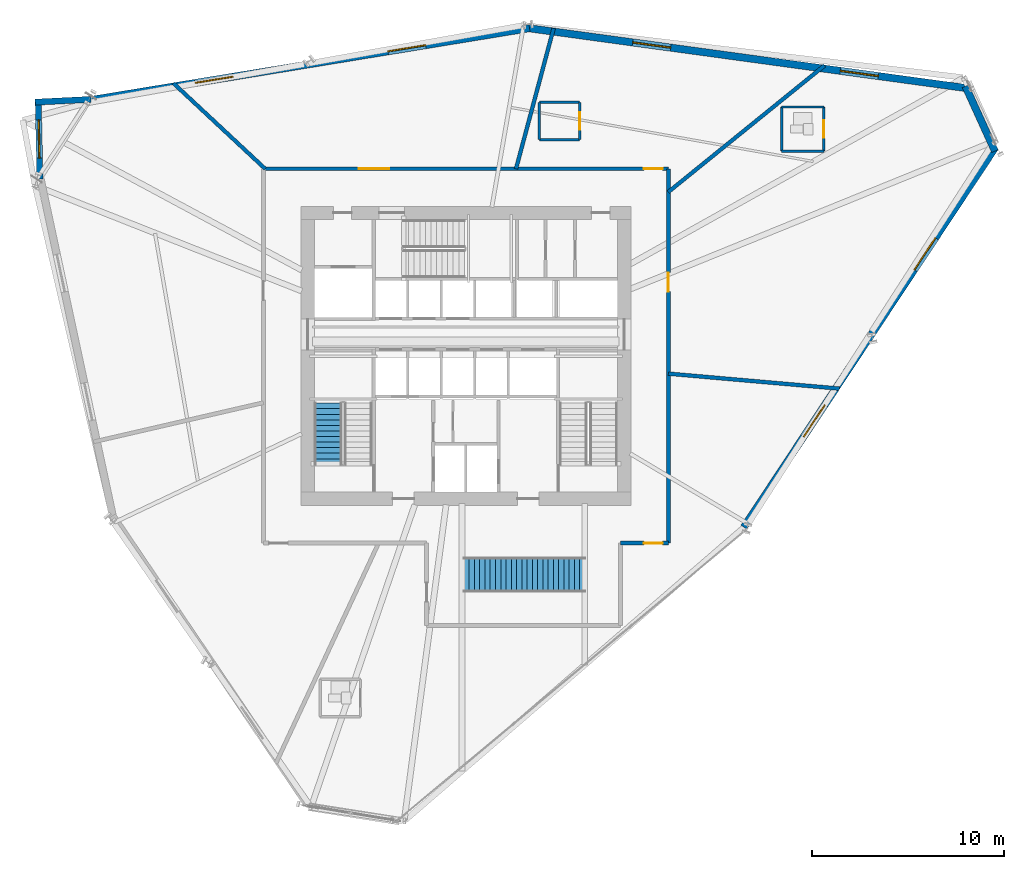
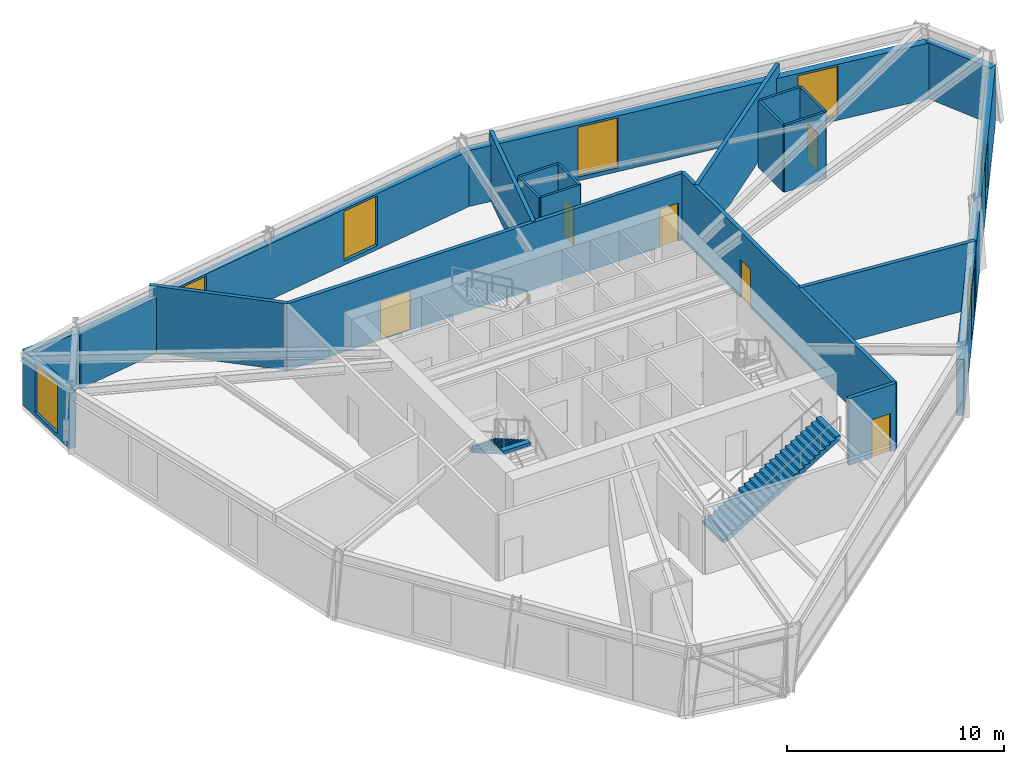
# One storey, part 13 of 16: 21 walls, 7 windows, 6 doors, 2 stair flights, 13 openings, 2 elements without a shape of their own.
"""IFC4 building model written with IfcOpenShell, lengths in metres."""

from ifc_helpers import new_model, si_unit, direction, frame, frame_2d, origin, place, context, subcontext, project, spatial, polyline, rectangle, outline, extrude, source, transform, mapped, material, layer, layer_set, type_object, type_shapes, element, fill, aggregate, save


model = new_model("IFC4")

# Units and contexts
model_context = context("Model", 3, precision=1e-05, world=origin(), true_north=direction((0.0, 1.0)))
body_context = subcontext(model_context, "Body", "Model", "MODEL_VIEW")
ifc_project = project(units=[si_unit("LENGTHUNIT", "METRE"), si_unit("AREAUNIT", "SQUARE_METRE"), si_unit("VOLUMEUNIT", "CUBIC_METRE"), si_unit("PLANEANGLEUNIT", "RADIAN"), si_unit("MASSUNIT", "GRAM", prefix="KILO")], contexts=[model_context])

# Site, building, storey
site_placement = place(None, origin())
site = spatial("IfcSite", under=ifc_project, at=site_placement, CompositionType="ELEMENT")
building_placement = place(site_placement, origin())
building = spatial("IfcBuilding", under=site, at=building_placement, Name="Olszyna Solenne Hotel", CompositionType="ELEMENT")
storey_placement = place(building_placement, frame((0.0, 0.0, 134.10009765625)))
storey = spatial("IfcBuildingStorey", under=building, at=storey_placement, Name="L35", CompositionType="ELEMENT", Elevation=134.10009765625)

# Wall, opening, window
ifc_material_1 = material(Name="Precast concrete C45/55", Category="concrete")
ifc_layer_1 = layer(ifc_material_1, 0.320068359375, Name="Precast concrete C45/55")
ifc_layer_set_1 = layer_set([ifc_layer_1], Name="Precast concrete C45/55")
wall_type_1 = type_object("IfcWallType", Name="WL-EX320", PredefinedType="SOLIDWALL", material=ifc_layer_set_1)
wall_1_placement = place(storey_placement, frame((15.804443359375, 35.822998046875, 0.0), z_axis=(0.0, 0.0, 1.0), x_axis=(-0.02186519063, 0.999760928142, 0.0)))
wall_1 = element("IfcWall", 1, at=wall_1_placement, inside=storey, type_object=wall_type_1, Name="Exterior terracotta-precast frame wall WL-EX320 EW-L35-05", PredefinedType="SOLIDWALL", context=body_context, shape_type="SweptSolid", body=[
    extrude(rectangle(XDim=4.164794921875, YDim=0.320068359375, at=frame_2d((2.08251953125, 0.0))), origin(), (0.0, 0.0, 1.0), 3.141845703125),
])
opening_1_placement = place(wall_1_placement, frame((1.08203125, 0.0, 0.221923828125)))
opening_1 = element("IfcOpeningElement", 2, at=opening_1_placement, cuts=wall_1, Name="Opening WN-L35-206", PredefinedType="OPENING", context=body_context, shape_type="SweptSolid", body=[
    extrude(rectangle(XDim=2.0, YDim=2.800048828125, at=frame_2d((1.0, 1.39990234375))), frame((0.0, 0.169921875, 0.0), z_axis=(0.0, -1.0, 0.0), x_axis=(1.0, 0.0, 0.0)), (0.0, 0.0, 1.0), 0.340087890625),
])
ifc_material_2 = material(Name="Low-E triple glazing", Category="glass")
window_type = type_object("IfcWindowType", Name="WN-SG1", PartitioningType="SINGLE_PANEL", PredefinedType="WINDOW", material=ifc_material_2)
shared_shape_1 = source(origin(), body_context, "Body", "SweptSolid", [
    extrude(rectangle(XDim=2.0, YDim=2.800048828125, at=frame_2d((1.0, 1.39990234375))), frame((0.0, 0.030029296875, 0.0), z_axis=(0.0, -1.0, 0.0), x_axis=(1.0, 0.0, 0.0)), (0.0, 0.0, 1.0), 0.06005859375),
])
type_shapes(window_type, [shared_shape_1])
window_1_placement = place(opening_1_placement, origin())
window_1 = element("IfcWindow", 3, at=window_1_placement, inside=storey, type_object=window_type, Name="Exterior facade window WN-SG1 WN-L35-206", OverallHeight=2.800048828125, OverallWidth=2.0, PartitioningType="SINGLE_PANEL", PredefinedType="WINDOW", context=body_context, shape_type="MappedRepresentation", body=[
    mapped(shared_shape_1, transform((0.0, 0.0, 0.0), x_axis=(1.0, 0.0, 0.0), y_axis=(0.0, 1.0, 0.0), z_axis=(0.0, 0.0, 1.0), scale=1.0)),
])
fill(opening_1, window_1)

# Wall
wall_2_placement = place(storey_placement, frame((15.5615234375, 39.823486328125, 0.0), z_axis=(0.0, 0.0, 1.0), x_axis=(0.998731286204, 0.050356905761, 0.0)))
element("IfcWall", 4, at=wall_2_placement, inside=storey, type_object=wall_type_1, Name="Exterior terracotta-precast frame wall WL-EX320 EW-L35-06", PredefinedType="SOLIDWALL", context=body_context, shape_type="SweptSolid", body=[
    extrude(rectangle(XDim=2.904052734375, YDim=0.320068359375, at=frame_2d((1.4521484375, 0.0))), origin(), (0.0, 0.0, 1.0), 3.141845703125),
])

# Wall, openings, windows
ifc_material_3 = material(Name="Terracotta cladding on precast concrete C45/55", Category="masonry")
ifc_layer_2 = layer(ifc_material_3, 0.3798828125, Name="Terracotta cladding on precast concrete C45/55")
ifc_layer_set_2 = layer_set([ifc_layer_2], Name="Terracotta cladding on precast concrete C45/55")
wall_type_2 = type_object("IfcWallType", Name="WL-EX380", PredefinedType="SOLIDWALL", material=ifc_layer_set_2)
wall_3_placement = place(storey_placement, frame((18.484619140625, 39.94189453125, 0.0), z_axis=(0.0, 0.0, 1.0), x_axis=(0.986854577997, 0.161610772806, 0.0)))
wall_3 = element("IfcWall", 5, at=wall_3_placement, inside=storey, type_object=wall_type_2, Name="Exterior terracotta-precast frame wall WL-EX380 EW-L35-07", PredefinedType="SOLIDWALL", context=body_context, shape_type="SweptSolid", body=[
    extrude(rectangle(XDim=23.135986328125, YDim=0.3798828125, at=frame_2d((11.56787109375, 0.0))), origin(), (0.0, 0.0, 1.0), 3.141845703125),
])
opening_2_placement = place(wall_3_placement, frame((5.47802734375, 0.0, 0.221923828125)))
opening_2 = element("IfcOpeningElement", 6, at=opening_2_placement, cuts=wall_3, Name="Opening WN-L35-207", PredefinedType="OPENING", context=body_context, shape_type="SweptSolid", body=[
    extrude(rectangle(XDim=2.0, YDim=2.800048828125, at=frame_2d((1.0, 1.39990234375))), frame((0.0, 0.199951171875, 0.0), z_axis=(0.0, -1.0, 0.0), x_axis=(1.0, 0.0, 0.0)), (0.0, 0.0, 1.0), 0.39990234375),
])
opening_3_placement = place(wall_3_placement, frame((15.657958984375, 0.0, 0.221923828125)))
opening_3 = element("IfcOpeningElement", 7, at=opening_3_placement, cuts=wall_3, Name="Opening WN-L35-208", PredefinedType="OPENING", context=body_context, shape_type="SweptSolid", body=[
    extrude(rectangle(XDim=2.0, YDim=2.800048828125, at=frame_2d((1.0, 1.39990234375))), frame((0.0, 0.199951171875, 0.0), z_axis=(0.0, -1.0, 0.0), x_axis=(1.0, 0.0, 0.0)), (0.0, 0.0, 1.0), 0.39990234375),
])
window_2_placement = place(opening_2_placement, origin())
window_2 = element("IfcWindow", 8, at=window_2_placement, inside=storey, type_object=window_type, Name="Exterior facade window WN-SG1 WN-L35-207", OverallHeight=2.800048828125, OverallWidth=2.0, PartitioningType="SINGLE_PANEL", PredefinedType="WINDOW", context=body_context, shape_type="MappedRepresentation", body=[
    mapped(shared_shape_1, transform((0.0, 0.0, 0.0), x_axis=(1.0, 0.0, 0.0), y_axis=(0.0, 1.0, 0.0), z_axis=(0.0, 0.0, 1.0), scale=1.0)),
])
fill(opening_2, window_2)
window_3_placement = place(opening_3_placement, origin())
window_3 = element("IfcWindow", 9, at=window_3_placement, inside=storey, type_object=window_type, Name="Exterior facade window WN-SG1 WN-L35-208", OverallHeight=2.800048828125, OverallWidth=2.0, PartitioningType="SINGLE_PANEL", PredefinedType="WINDOW", context=body_context, shape_type="MappedRepresentation", body=[
    mapped(shared_shape_1, transform((0.0, 0.0, 0.0), x_axis=(1.0, 0.0, 0.0), y_axis=(0.0, 1.0, 0.0), z_axis=(0.0, 0.0, 1.0), scale=1.0)),
])
fill(opening_3, window_3)

wall_4_placement = place(storey_placement, frame((41.259765625, 43.68017578125, 0.0), z_axis=(0.0, 0.0, 1.0), x_axis=(0.990765133222, -0.135589272404, 0.0)))
wall_4 = element("IfcWall", 10, at=wall_4_placement, inside=storey, type_object=wall_type_2, Name="Exterior terracotta-precast frame wall WL-EX380 EW-L35-08", PredefinedType="SOLIDWALL", context=body_context, shape_type="SweptSolid", body=[
    extrude(rectangle(XDim=23.1357421875, YDim=0.3798828125, at=frame_2d((11.56787109375, 0.0))), origin(), (0.0, 0.0, 1.0), 3.141845703125),
])
opening_4_placement = place(wall_4_placement, frame((5.47802734375, 0.0, 0.221923828125)))
opening_4 = element("IfcOpeningElement", 11, at=opening_4_placement, cuts=wall_4, Name="Opening WN-L35-209", PredefinedType="OPENING", context=body_context, shape_type="SweptSolid", body=[
    extrude(rectangle(XDim=2.0, YDim=2.800048828125, at=frame_2d((1.0, 1.39990234375))), frame((0.0, 0.199951171875, 0.0), z_axis=(0.0, -1.0, 0.0), x_axis=(1.0, 0.0, 0.0)), (0.0, 0.0, 1.0), 0.39990234375),
])
opening_5_placement = place(wall_4_placement, frame((16.407958984375, 0.0, 0.221923828125)))
opening_5 = element("IfcOpeningElement", 12, at=opening_5_placement, cuts=wall_4, Name="Opening WN-L35-210", PredefinedType="OPENING", context=body_context, shape_type="SweptSolid", body=[
    extrude(rectangle(XDim=2.0, YDim=2.800048828125, at=frame_2d((1.0, 1.39990234375))), frame((0.0, 0.199951171875, 0.0), z_axis=(0.0, -1.0, 0.0), x_axis=(1.0, 0.0, 0.0)), (0.0, 0.0, 1.0), 0.39990234375),
])
window_4_placement = place(opening_4_placement, origin())
window_4 = element("IfcWindow", 13, at=window_4_placement, inside=storey, type_object=window_type, Name="Exterior facade window WN-SG1 WN-L35-209", OverallHeight=2.800048828125, OverallWidth=2.0, PartitioningType="SINGLE_PANEL", PredefinedType="WINDOW", context=body_context, shape_type="MappedRepresentation", body=[
    mapped(shared_shape_1, transform((0.0, 0.0, 0.0), x_axis=(1.0, 0.0, 0.0), y_axis=(0.0, 1.0, 0.0), z_axis=(0.0, 0.0, 1.0), scale=1.0)),
])
fill(opening_4, window_4)
window_5_placement = place(opening_5_placement, origin())
window_5 = element("IfcWindow", 14, at=window_5_placement, inside=storey, type_object=window_type, Name="Exterior facade window WN-SG1 WN-L35-210", OverallHeight=2.800048828125, OverallWidth=2.0, PartitioningType="SINGLE_PANEL", PredefinedType="WINDOW", context=body_context, shape_type="MappedRepresentation", body=[
    mapped(shared_shape_1, transform((0.0, 0.0, 0.0), x_axis=(1.0, 0.0, 0.0), y_axis=(0.0, 1.0, 0.0), z_axis=(0.0, 0.0, 1.0), scale=1.0)),
])
fill(opening_5, window_5)

# Wall
wall_5_placement = place(storey_placement, frame((64.034912109375, 40.652587890625, 0.0), z_axis=(0.0, 0.0, 1.0), x_axis=(0.413892137576, -0.910325929793, 0.0)))
element("IfcWall", 15, at=wall_5_placement, inside=storey, type_object=wall_type_2, Name="Exterior terracotta-precast frame wall WL-EX380 EW-L35-09", PredefinedType="SOLIDWALL", context=body_context, shape_type="SweptSolid", body=[
    extrude(rectangle(XDim=3.7119140625, YDim=0.3798828125, at=frame_2d((1.85595703125, 0.0))), origin(), (0.0, 0.0, 1.0), 3.141845703125),
])

# Wall, openings, windows
wall_6_placement = place(storey_placement, frame((65.5859375, 37.45703125, 0.0), z_axis=(0.0, 0.0, 1.0), x_axis=(-0.552197199058, -0.833713531947, 0.0)))
wall_6 = element("IfcWall", 16, at=wall_6_placement, inside=storey, type_object=wall_type_2, Name="Exterior terracotta-precast frame wall WL-EX380 EW-L35-10", PredefinedType="SOLIDWALL", context=body_context, shape_type="SweptSolid", body=[
    extrude(rectangle(XDim=23.725830078125, YDim=0.3798828125, at=frame_2d((11.86279296875, 0.0))), origin(), (0.0, 0.0, 1.0), 3.141845703125),
])
opening_6_placement = place(wall_6_placement, frame((5.64306640625, 0.0, 0.221923828125)))
opening_6 = element("IfcOpeningElement", 17, at=opening_6_placement, cuts=wall_6, Name="Opening WN-L35-211", PredefinedType="OPENING", context=body_context, shape_type="SweptSolid", body=[
    extrude(rectangle(XDim=2.0, YDim=2.800048828125, at=frame_2d((1.0, 1.39990234375))), frame((0.0, 0.199951171875, 0.0), z_axis=(0.0, -1.0, 0.0), x_axis=(1.0, 0.0, 0.0)), (0.0, 0.0, 1.0), 0.39990234375),
])
opening_7_placement = place(wall_6_placement, frame((16.08203125, 0.0, 0.221923828125)))
opening_7 = element("IfcOpeningElement", 18, at=opening_7_placement, cuts=wall_6, Name="Opening WN-L35-212", PredefinedType="OPENING", context=body_context, shape_type="SweptSolid", body=[
    extrude(rectangle(XDim=2.0, YDim=2.800048828125, at=frame_2d((1.0, 1.39990234375))), frame((0.0, 0.199951171875, 0.0), z_axis=(0.0, -1.0, 0.0), x_axis=(1.0, 0.0, 0.0)), (0.0, 0.0, 1.0), 0.39990234375),
])
window_6_placement = place(opening_6_placement, origin())
window_6 = element("IfcWindow", 19, at=window_6_placement, inside=storey, type_object=window_type, Name="Exterior facade window WN-SG1 WN-L35-211", OverallHeight=2.800048828125, OverallWidth=2.0, PartitioningType="SINGLE_PANEL", PredefinedType="WINDOW", context=body_context, shape_type="MappedRepresentation", body=[
    mapped(shared_shape_1, transform((0.0, 0.0, 0.0), x_axis=(1.0, 0.0, 0.0), y_axis=(0.0, 1.0, 0.0), z_axis=(0.0, 0.0, 1.0), scale=1.0)),
])
fill(opening_6, window_6)
window_7_placement = place(opening_7_placement, origin())
window_7 = element("IfcWindow", 20, at=window_7_placement, inside=storey, type_object=window_type, Name="Exterior facade window WN-SG1 WN-L35-212", OverallHeight=2.800048828125, OverallWidth=2.0, PartitioningType="SINGLE_PANEL", PredefinedType="WINDOW", context=body_context, shape_type="MappedRepresentation", body=[
    mapped(shared_shape_1, transform((0.0, 0.0, 0.0), x_axis=(1.0, 0.0, 0.0), y_axis=(0.0, 1.0, 0.0), z_axis=(0.0, 0.0, 1.0), scale=1.0)),
])
fill(opening_7, window_7)

# Wall, opening, door
ifc_material_4 = material(Name="Acoustic gypsum partition", Category="gypsum")
ifc_layer_3 = layer(ifc_material_4, 0.125, Name="Acoustic gypsum partition")
ifc_layer_set_3 = layer_set([ifc_layer_3], Name="Acoustic gypsum partition")
wall_type_3 = type_object("IfcWallType", Name="WL-PT125", PredefinedType="PARTITIONING", material=ifc_layer_set_3)
wall_7_placement = place(storey_placement, frame((56.65087890625, 37.27294921875, 0.0), z_axis=(0.0, 0.0, 1.0), x_axis=(0.0, 1.0, 0.0)))
wall_7 = element("IfcWall", 21, at=wall_7_placement, inside=storey, type_object=wall_type_3, Name="Interior acoustic partition WL-PT125 PW-L35-2020", PredefinedType="PARTITIONING", context=body_context, shape_type="SweptSolid", body=[
    extrude(rectangle(XDim=2.300048828125, YDim=0.125, at=frame_2d((1.14990234375, 0.0))), origin(), (0.0, 0.0, 1.0), 3.75),
])
opening_8_placement = place(wall_7_placement, frame((0.699951171875, 0.0, 0.0)))
opening_8 = element("IfcOpeningElement", 22, at=opening_8_placement, cuts=wall_7, Name="Opening DR-L35-0489", PredefinedType="OPENING", context=body_context, shape_type="SweptSolid", body=[
    extrude(rectangle(XDim=0.89990234375, YDim=2.10009765625, at=frame_2d((0.449951171875, 1.050048828125))), frame((0.0, 0.072509765625, 0.0), z_axis=(0.0, -1.0, 0.0), x_axis=(1.0, 0.0, 0.0)), (0.0, 0.0, 1.0), 0.14501953125),
])
ifc_material_5 = material(Name="Timber hardwood", Category="wood")
door_type_1 = type_object("IfcDoorType", Name="DR-WC1", OperationType="NOTDEFINED", PredefinedType="DOOR", material=ifc_material_5)
shared_shape_2 = source(origin(), body_context, "Body", "SweptSolid", [
    extrude(rectangle(XDim=0.89990234375, YDim=2.10009765625, at=frame_2d((0.449951171875, 1.050048828125))), frame((0.0, 0.02490234375, 0.0), z_axis=(0.0, -1.0, 0.0), x_axis=(1.0, 0.0, 0.0)), (0.0, 0.0, 1.0), 0.050048828125),
])
type_shapes(door_type_1, [shared_shape_2])
door_1_placement = place(opening_8_placement, origin())
door_1 = element("IfcDoor", 23, at=door_1_placement, inside=storey, type_object=door_type_1, Name="En-Suite Bathroom Door DR-L35-0489", OperationType="SINGLE_SWING_RIGHT", OverallHeight=2.10009765625, OverallWidth=0.89990234375, PredefinedType="DOOR", context=body_context, shape_type="MappedRepresentation", body=[
    mapped(shared_shape_2, transform((0.0, 0.0, 0.0), x_axis=(1.0, 0.0, 0.0), y_axis=(0.0, 1.0, 0.0), z_axis=(0.0, 0.0, 1.0), scale=1.0)),
])
fill(opening_8, door_1)

# Walls
wall_8_placement = place(storey_placement, frame((56.65087890625, 39.572998046875, 0.0), z_axis=(0.0, 0.0, 1.0), x_axis=(-1.0, 0.0, 0.0)))
element("IfcWall", 24, at=wall_8_placement, inside=storey, type_object=wall_type_3, Name="Interior acoustic partition WL-PT125 PW-L35-2021", PredefinedType="PARTITIONING", context=body_context, shape_type="SweptSolid", body=[
    extrude(rectangle(XDim=2.199951171875, YDim=0.125, at=frame_2d((1.10009765625, 0.0))), origin(), (0.0, 0.0, 1.0), 3.75),
])
wall_9_placement = place(storey_placement, frame((54.450927734375, 39.572998046875, 0.0), z_axis=(0.0, 0.0, 1.0), x_axis=(0.0, -1.0, 0.0)))
element("IfcWall", 25, at=wall_9_placement, inside=storey, type_object=wall_type_3, Name="Interior acoustic partition WL-PT125 PW-L35-2022", PredefinedType="PARTITIONING", context=body_context, shape_type="SweptSolid", body=[
    extrude(rectangle(XDim=2.300048828125, YDim=0.125, at=frame_2d((1.14990234375, 0.0))), origin(), (0.0, 0.0, 1.0), 3.75),
])
wall_10_placement = place(storey_placement, frame((54.450927734375, 37.27294921875, 0.0), z_axis=(0.0, 0.0, 1.0), x_axis=(1.0, 0.0, 0.0)))
element("IfcWall", 26, at=wall_10_placement, inside=storey, type_object=wall_type_3, Name="Interior acoustic partition WL-PT125 PW-L35-2023", PredefinedType="PARTITIONING", context=body_context, shape_type="SweptSolid", body=[
    extrude(rectangle(XDim=2.199951171875, YDim=0.125, at=frame_2d((1.10009765625, 0.0))), origin(), (0.0, 0.0, 1.0), 3.75),
])

# Wall, opening, door
wall_11_placement = place(storey_placement, frame((43.929931640625, 37.865966796875, 0.0), z_axis=(0.0, 0.0, 1.0), x_axis=(0.0, 1.0, 0.0)))
wall_11 = element("IfcWall", 27, at=wall_11_placement, inside=storey, type_object=wall_type_3, Name="Interior acoustic partition WL-PT125 PW-L35-2024", PredefinedType="PARTITIONING", context=body_context, shape_type="SweptSolid", body=[
    extrude(rectangle(XDim=1.949951171875, YDim=0.125, at=frame_2d((0.97509765625, 0.0))), origin(), (0.0, 0.0, 1.0), 3.75),
])
opening_9_placement = place(wall_11_placement, frame((0.52490234375, 0.0, 0.0)))
opening_9 = element("IfcOpeningElement", 28, at=opening_9_placement, cuts=wall_11, Name="Opening DR-L35-0490", PredefinedType="OPENING", context=body_context, shape_type="SweptSolid", body=[
    extrude(rectangle(XDim=0.89990234375, YDim=2.10009765625, at=frame_2d((0.449951171875, 1.050048828125))), frame((0.0, 0.072509765625, 0.0), z_axis=(0.0, -1.0, 0.0), x_axis=(1.0, 0.0, 0.0)), (0.0, 0.0, 1.0), 0.14501953125),
])
door_2_placement = place(opening_9_placement, origin())
door_2 = element("IfcDoor", 29, at=door_2_placement, inside=storey, type_object=door_type_1, Name="En-Suite Bathroom Door DR-L35-0490", OperationType="SINGLE_SWING_RIGHT", OverallHeight=2.10009765625, OverallWidth=0.89990234375, PredefinedType="DOOR", context=body_context, shape_type="MappedRepresentation", body=[
    mapped(shared_shape_2, transform((0.0, 0.0, 0.0), x_axis=(1.0, 0.0, 0.0), y_axis=(0.0, 1.0, 0.0), z_axis=(0.0, 0.0, 1.0), scale=1.0)),
])
fill(opening_9, door_2)

# Walls
wall_12_placement = place(storey_placement, frame((43.929931640625, 39.81591796875, 0.0), z_axis=(0.0, 0.0, 1.0), x_axis=(-1.0, 0.0, 0.0)))
element("IfcWall", 30, at=wall_12_placement, inside=storey, type_object=wall_type_3, Name="Interior acoustic partition WL-PT125 PW-L35-2025", PredefinedType="PARTITIONING", context=body_context, shape_type="SweptSolid", body=[
    extrude(rectangle(XDim=2.099853515625, YDim=0.125, at=frame_2d((1.0498046875, 0.0))), origin(), (0.0, 0.0, 1.0), 3.75),
])
wall_13_placement = place(storey_placement, frame((41.830078125, 39.81591796875, 0.0), z_axis=(0.0, 0.0, 1.0), x_axis=(0.0, -1.0, 0.0)))
element("IfcWall", 31, at=wall_13_placement, inside=storey, type_object=wall_type_3, Name="Interior acoustic partition WL-PT125 PW-L35-2026", PredefinedType="PARTITIONING", context=body_context, shape_type="SweptSolid", body=[
    extrude(rectangle(XDim=1.949951171875, YDim=0.125, at=frame_2d((0.97509765625, 0.0))), origin(), (0.0, 0.0, 1.0), 3.75),
])
wall_14_placement = place(storey_placement, frame((41.830078125, 37.865966796875, 0.0), z_axis=(0.0, 0.0, 1.0), x_axis=(1.0, 0.0, 0.0)))
element("IfcWall", 32, at=wall_14_placement, inside=storey, type_object=wall_type_3, Name="Interior acoustic partition WL-PT125 PW-L35-2027", PredefinedType="PARTITIONING", context=body_context, shape_type="SweptSolid", body=[
    extrude(rectangle(XDim=2.099853515625, YDim=0.125, at=frame_2d((1.0498046875, 0.0))), origin(), (0.0, 0.0, 1.0), 3.75),
])
ifc_layer_4 = layer(ifc_material_4, 0.199951171875, Name="Acoustic gypsum partition")
ifc_layer_set_4 = layer_set([ifc_layer_4], Name="Acoustic gypsum partition")
wall_type_4 = type_object("IfcWallType", Name="WL-PT200", PredefinedType="PARTITIONING", material=ifc_layer_set_4)
wall_15_placement = place(storey_placement, frame((40.612548828125, 36.35009765625, 0.0), z_axis=(0.0, 0.0, 1.0), x_axis=(0.258816688586, 0.965926457713, 0.0)))
element("IfcWall", 33, at=wall_15_placement, inside=storey, type_object=wall_type_4, Name="Interior acoustic partition WL-PT200 PW-L35-2010", PredefinedType="PARTITIONING", context=body_context, shape_type="SweptSolid", body=[
    extrude(rectangle(XDim=7.570068359375, YDim=0.199951171875, at=frame_2d((3.78515625, 0.0))), origin(), (0.0, 0.0, 1.0), 3.75),
])
wall_16_placement = place(storey_placement, frame((27.54443359375, 36.35009765625, 0.0), z_axis=(0.0, 0.0, 1.0), x_axis=(-0.731359670855, 0.681991958785, 0.0)))
element("IfcWall", 34, at=wall_16_placement, inside=storey, type_object=wall_type_4, Name="Interior acoustic partition WL-PT200 PW-L35-2011", PredefinedType="PARTITIONING", context=body_context, shape_type="SweptSolid", body=[
    extrude(rectangle(XDim=6.53271484375, YDim=0.199951171875, at=frame_2d((3.266357421875, 0.0))), origin(), (0.0, 0.0, 1.0), 3.75),
])
wall_17_placement = place(storey_placement, frame((48.550048828125, 25.677001953125, 0.0), z_axis=(0.0, 0.0, 1.0), x_axis=(0.996193836021, -0.087165595704, 0.0)))
element("IfcWall", 35, at=wall_17_placement, inside=storey, type_object=wall_type_4, Name="Interior acoustic partition WL-PT200 PW-L35-2014", PredefinedType="PARTITIONING", context=body_context, shape_type="SweptSolid", body=[
    extrude(rectangle(XDim=8.943115234375, YDim=0.199951171875, at=frame_2d((4.4716796875, 0.0))), origin(), (0.0, 0.0, 1.0), 3.75),
])
wall_18_placement = place(storey_placement, frame((48.550048828125, 35.143310546875, 0.0), z_axis=(0.0, 0.0, 1.0), x_axis=(0.777146006926, 0.6293203349, 0.0)))
element("IfcWall", 36, at=wall_18_placement, inside=storey, type_object=wall_type_4, Name="Interior acoustic partition WL-PT200 PW-L35-2015", PredefinedType="PARTITIONING", context=body_context, shape_type="SweptSolid", body=[
    extrude(rectangle(XDim=10.467529296875, YDim=0.199951171875, at=frame_2d((5.23388671875, 0.0))), origin(), (0.0, 0.0, 1.0), 3.75),
])

# Wall, opening, door
wall_19_placement = place(storey_placement, frame((46.050048828125, 16.85009765625, 0.0), z_axis=(0.0, 0.0, 1.0), x_axis=(1.0, 0.0, 0.0)))
wall_19 = element("IfcWall", 37, at=wall_19_placement, inside=storey, type_object=wall_type_4, Name="Interior acoustic partition WL-PT200 PW-L35-2029", PredefinedType="PARTITIONING", context=body_context, shape_type="SweptSolid", body=[
    extrude(rectangle(XDim=2.5, YDim=0.199951171875, at=frame_2d((1.25, 0.0))), origin(), (0.0, 0.0, 1.0), 3.75),
])
opening_10_placement = place(wall_19_placement, frame((1.219970703125, 0.0, 0.0)))
opening_10 = element("IfcOpeningElement", 38, at=opening_10_placement, cuts=wall_19, Name="Opening DR-L35-0492", PredefinedType="OPENING", context=body_context, shape_type="SweptSolid", body=[
    extrude(rectangle(XDim=0.97998046875, YDim=2.14990234375, at=frame_2d((0.489990234375, 1.074951171875))), frame((0.0, 0.10986328125, 0.0), z_axis=(0.0, -1.0, 0.0), x_axis=(1.0, 0.0, 0.0)), (0.0, 0.0, 1.0), 0.219970703125),
])
door_type_2 = type_object("IfcDoorType", Name="DR-RM1", OperationType="NOTDEFINED", PredefinedType="DOOR", material=ifc_material_5)
shared_shape_3 = source(origin(), body_context, "Body", "SweptSolid", [
    extrude(rectangle(XDim=0.97998046875, YDim=2.14990234375, at=frame_2d((0.489990234375, 1.074951171875))), frame((0.0, 0.02490234375, 0.0), z_axis=(0.0, -1.0, 0.0), x_axis=(1.0, 0.0, 0.0)), (0.0, 0.0, 1.0), 0.050048828125),
])
type_shapes(door_type_2, [shared_shape_3])
door_3_placement = place(opening_10_placement, origin())
door_3 = element("IfcDoor", 39, at=door_3_placement, inside=storey, type_object=door_type_2, Name="Executive Meeting Salon Entrance Door DR-L35-0492", OperationType="SINGLE_SWING_RIGHT", OverallHeight=2.14990234375, OverallWidth=0.97998046875, PredefinedType="DOOR", context=body_context, shape_type="MappedRepresentation", body=[
    mapped(shared_shape_3, transform((0.0, 0.0, 0.0), x_axis=(1.0, 0.0, 0.0), y_axis=(0.0, 1.0, 0.0), z_axis=(0.0, 0.0, 1.0), scale=1.0)),
])
fill(opening_10, door_3)

# Wall, openings, doors
wall_20_placement = place(storey_placement, frame((27.449951171875, 36.35009765625, 0.0), z_axis=(0.0, 0.0, 1.0), x_axis=(1.0, 0.0, 0.0)))
wall_20 = element("IfcWall", 40, at=wall_20_placement, inside=storey, type_object=wall_type_4, Name="Interior acoustic partition WL-PT200 PW-L35-2031", PredefinedType="PARTITIONING", context=body_context, shape_type="SweptSolid", body=[
    extrude(rectangle(XDim=21.10009765625, YDim=0.199951171875, at=frame_2d((10.550048828125, 0.0))), origin(), (0.0, 0.0, 1.0), 3.75),
])
opening_11_placement = place(wall_20_placement, frame((4.966064453125, 0.0, 0.0)))
opening_11 = element("IfcOpeningElement", 41, at=opening_11_placement, cuts=wall_20, Name="Opening DR-L35-0494", PredefinedType="OPENING", context=body_context, shape_type="SweptSolid", body=[
    extrude(rectangle(XDim=1.60009765625, YDim=2.199951171875, at=frame_2d((0.800048828125, 1.10009765625))), frame((0.0, 0.10986328125, 0.0), z_axis=(0.0, -1.0, 0.0), x_axis=(1.0, 0.0, 0.0)), (0.0, 0.0, 1.0), 0.219970703125),
])
opening_12_placement = place(wall_20_placement, frame((19.820068359375, 0.0, 0.0)))
opening_12 = element("IfcOpeningElement", 42, at=opening_12_placement, cuts=wall_20, Name="Opening DR-L35-0495", PredefinedType="OPENING", context=body_context, shape_type="SweptSolid", body=[
    extrude(rectangle(XDim=0.97998046875, YDim=2.14990234375, at=frame_2d((0.489990234375, 1.074951171875))), frame((0.0, 0.10986328125, 0.0), z_axis=(0.0, -1.0, 0.0), x_axis=(1.0, 0.0, 0.0)), (0.0, 0.0, 1.0), 0.219970703125),
])
door_type_3 = type_object("IfcDoorType", Name="DR-CR1", OperationType="DOUBLE_DOOR_SINGLE_SWING", PredefinedType="DOOR", material=ifc_material_5)
shared_shape_4 = source(origin(), body_context, "Body", "SweptSolid", [
    extrude(rectangle(XDim=1.60009765625, YDim=2.199951171875, at=frame_2d((0.800048828125, 1.10009765625))), frame((0.0, 0.02490234375, 0.0), z_axis=(0.0, -1.0, 0.0), x_axis=(1.0, 0.0, 0.0)), (0.0, 0.0, 1.0), 0.050048828125),
])
type_shapes(door_type_3, [shared_shape_4])
door_4_placement = place(opening_11_placement, origin())
door_4 = element("IfcDoor", 43, at=door_4_placement, inside=storey, type_object=door_type_3, Name="Winter Sky Garden Conservatory Entrance Door DR-L35-0494", OperationType="DOUBLE_DOOR_SINGLE_SWING", OverallHeight=2.199951171875, OverallWidth=1.60009765625, PredefinedType="DOOR", context=body_context, shape_type="MappedRepresentation", body=[
    mapped(shared_shape_4, transform((0.0, 0.0, 0.0), x_axis=(1.0, 0.0, 0.0), y_axis=(0.0, 1.0, 0.0), z_axis=(0.0, 0.0, 1.0), scale=1.0)),
])
fill(opening_11, door_4)
door_5_placement = place(opening_12_placement, origin())
door_5 = element("IfcDoor", 44, at=door_5_placement, inside=storey, type_object=door_type_2, Name="Executive Reading Salon Entrance Door DR-L35-0495", OperationType="SINGLE_SWING_RIGHT", OverallHeight=2.14990234375, OverallWidth=0.97998046875, PredefinedType="DOOR", context=body_context, shape_type="MappedRepresentation", body=[
    mapped(shared_shape_3, transform((0.0, 0.0, 0.0), x_axis=(1.0, 0.0, 0.0), y_axis=(0.0, 1.0, 0.0), z_axis=(0.0, 0.0, 1.0), scale=1.0)),
])
fill(opening_12, door_5)

# Wall, opening, door
wall_21_placement = place(storey_placement, frame((48.550048828125, 16.85009765625, 0.0), z_axis=(0.0, 0.0, 1.0), x_axis=(0.0, 1.0, 0.0)))
wall_21 = element("IfcWall", 45, at=wall_21_placement, inside=storey, type_object=wall_type_4, Name="Interior acoustic partition WL-PT200 PW-L35-2032", PredefinedType="PARTITIONING", context=body_context, shape_type="SweptSolid", body=[
    extrude(rectangle(XDim=19.5, YDim=0.199951171875, at=frame_2d((9.75, 0.0))), origin(), (0.0, 0.0, 1.0), 3.75),
])
opening_13_placement = place(wall_21_placement, frame((13.10595703125, 0.0, 0.0)))
opening_13 = element("IfcOpeningElement", 46, at=opening_13_placement, cuts=wall_21, Name="Opening DR-L35-0496", PredefinedType="OPENING", context=body_context, shape_type="SweptSolid", body=[
    extrude(rectangle(XDim=0.97998046875, YDim=2.14990234375, at=frame_2d((0.489990234375, 1.074951171875))), frame((0.0, 0.10986328125, 0.0), z_axis=(0.0, -1.0, 0.0), x_axis=(1.0, 0.0, 0.0)), (0.0, 0.0, 1.0), 0.219970703125),
])
door_6_placement = place(opening_13_placement, origin())
door_6 = element("IfcDoor", 47, at=door_6_placement, inside=storey, type_object=door_type_2, Name="Botanical Atrium Suite Entrance Door DR-L35-0496", OperationType="SINGLE_SWING_LEFT", OverallHeight=2.14990234375, OverallWidth=0.97998046875, PredefinedType="DOOR", context=body_context, shape_type="MappedRepresentation", body=[
    mapped(shared_shape_3, transform((0.0, 0.0, 0.0), x_axis=(1.0, 0.0, 0.0), y_axis=(0.0, 1.0, 0.0), z_axis=(0.0, 0.0, 1.0), scale=1.0)),
])
fill(opening_13, door_6)

# Stair, stair flight
ifc_material_6 = material(Name="Concrete C40/50", Category="concrete")
stair_type_1 = type_object("IfcStairType", Name="STR-C1", PredefinedType="TWO_QUARTER_WINDING_STAIR", material=ifc_material_6)
stair_1_placement = place(storey_placement, origin())
stair_1 = element("IfcStair", 48, at=stair_1_placement, inside=storey, type_object=stair_type_1, Name="L35 ST1", PredefinedType="TWO_QUARTER_WINDING_STAIR")
stair_flight_type_1 = type_object("IfcStairFlightType", Name="FLT-C1", PredefinedType="STRAIGHT", material=ifc_material_6)
stair_flight_1_placement = place(storey_placement, frame((30.824951171875, 24.139892578125, 2.0), z_axis=(0.0, 0.0, 1.0), x_axis=(0.0, -1.0, 0.0)))
stair_flight_1 = element("IfcStairFlight", 49, at=stair_flight_1_placement, type_object=stair_flight_type_1, Name="ST1 flight 2", NumberOfRisers=12, NumberOfTreads=11, PredefinedType="STRAIGHT", RiserHeight=0.166666667, TreadLength=0.29, context=body_context, shape_type="SweptSolid", body=[
    extrude(outline(polyline([(0.0, 0.0), (0.0, 0.166748046875), (0.2900390625, 0.166748046875), (0.2900390625, 0.333251953125), (0.580078125, 0.333251953125), (0.580078125, 0.5), (0.8701171875, 0.5), (0.8701171875, 0.666748046875), (1.159912109375, 0.666748046875), (1.159912109375, 0.833251953125), (1.449951171875, 0.833251953125), (1.449951171875, 1.0), (1.739990234375, 1.0), (1.739990234375, 1.166748046875), (2.030029296875, 1.166748046875), (2.030029296875, 1.333251953125), (2.320068359375, 1.333251953125), (2.320068359375, 1.5), (2.610107421875, 1.5), (2.610107421875, 1.666748046875), (2.89990234375, 1.666748046875), (2.89990234375, 1.833251953125), (3.18994140625, 1.833251953125), (3.18994140625, 2.0), (3.18994140625, 1.660400390625), (0.30078125, 0.0), (0.0, 0.0)])), frame((0.0, 0.72509765625, 0.0), z_axis=(0.0, -1.0, 0.0), x_axis=(1.0, 0.0, 0.0)), (0.0, 0.0, 1.0), 1.449951171875),
])
aggregate(stair_1, [stair_flight_1])

stair_type_2 = type_object("IfcStairType", Name="STR-SG1", PredefinedType="STRAIGHT_RUN_STAIR", material=ifc_material_6)
stair_2_placement = place(storey_placement, origin())
stair_2 = element("IfcStair", 50, at=stair_2_placement, inside=storey, type_object=stair_type_2, Name="Feature straight architectural stair FS-03", PredefinedType="STRAIGHT_RUN_STAIR")
stair_flight_type_2 = type_object("IfcStairFlightType", Name="FLT-SG1", PredefinedType="STRAIGHT", material=ifc_material_6)
stair_flight_2_placement = place(storey_placement, frame((37.900390625, 15.199951171875, 0.0), z_axis=(0.0, 0.0, 1.0), x_axis=(1.0, 0.0, 0.0)))
stair_flight_2 = element("IfcStairFlight", 51, at=stair_flight_2_placement, type_object=stair_flight_type_2, Name="Feature stair flight FS-03-FL1", NumberOfRisers=24, NumberOfTreads=23, PredefinedType="STRAIGHT", RiserHeight=0.166667, TreadLength=0.2739, context=body_context, shape_type="SweptSolid", body=[
    extrude(outline(polyline([(0.0, 0.0), (0.0, 0.166748046875), (0.27392578125, 0.166748046875), (0.27392578125, 0.333251953125), (0.5478515625, 0.333251953125), (0.5478515625, 0.5), (0.82177734375, 0.5), (0.82177734375, 0.666748046875), (1.095703125, 0.666748046875), (1.095703125, 0.833251953125), (1.369384765625, 0.833251953125), (1.369384765625, 1.0), (1.643310546875, 1.0), (1.643310546875, 1.166748046875), (1.917236328125, 1.166748046875), (1.917236328125, 1.333251953125), (2.191162109375, 1.333251953125), (2.191162109375, 1.5), (2.465087890625, 1.5), (2.465087890625, 1.666748046875), (2.739013671875, 1.666748046875), (2.739013671875, 1.833251953125), (3.012939453125, 1.833251953125), (3.012939453125, 2.0), (3.286865234375, 2.0), (3.286865234375, 2.166748046875), (3.560791015625, 2.166748046875), (3.560791015625, 2.333251953125), (3.834716796875, 2.333251953125), (3.834716796875, 2.5), (4.1083984375, 2.5), (4.1083984375, 2.666748046875), (4.38232421875, 2.666748046875), (4.38232421875, 2.833251953125), (4.65625, 2.833251953125), (4.65625, 3.0), (4.93017578125, 3.0), (4.93017578125, 3.166748046875), (5.2041015625, 3.166748046875), (5.2041015625, 3.333251953125), (5.47802734375, 3.333251953125), (5.47802734375, 3.5), (5.751953125, 3.5), (5.751953125, 3.666748046875), (6.02587890625, 3.666748046875), (6.02587890625, 3.833251953125), (6.2998046875, 3.833251953125), (6.2998046875, 4.0), (6.2998046875, 3.622802734375), (0.34619140625, 0.0), (0.0, 0.0)])), frame((0.0, 0.89990234375, 0.0), z_axis=(0.0, -1.0, 0.0), x_axis=(1.0, 0.0, 0.0)), (0.0, 0.0, 1.0), 1.800048828125),
])
aggregate(stair_2, [stair_flight_2])

save(model, "model.ifc")
